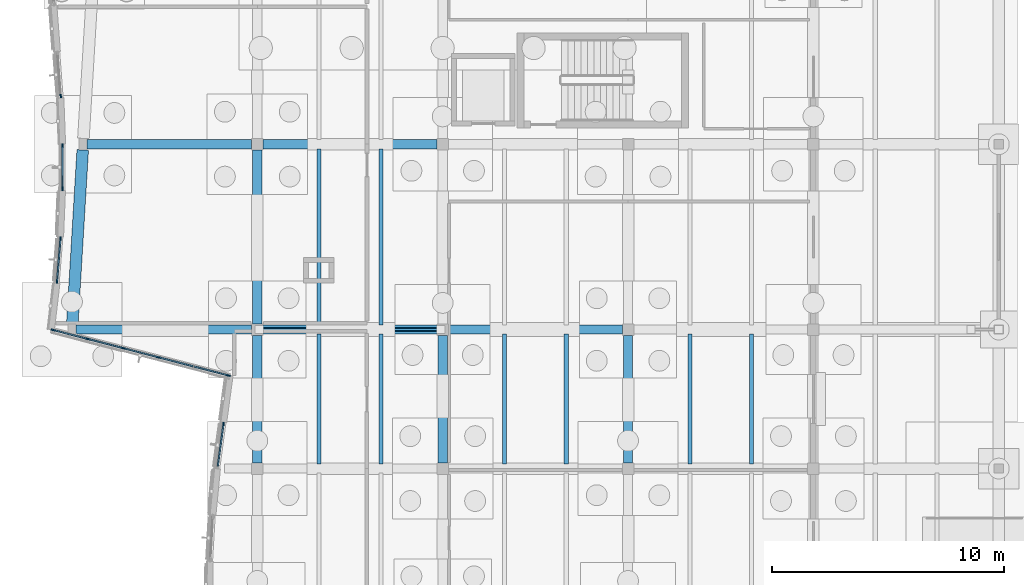
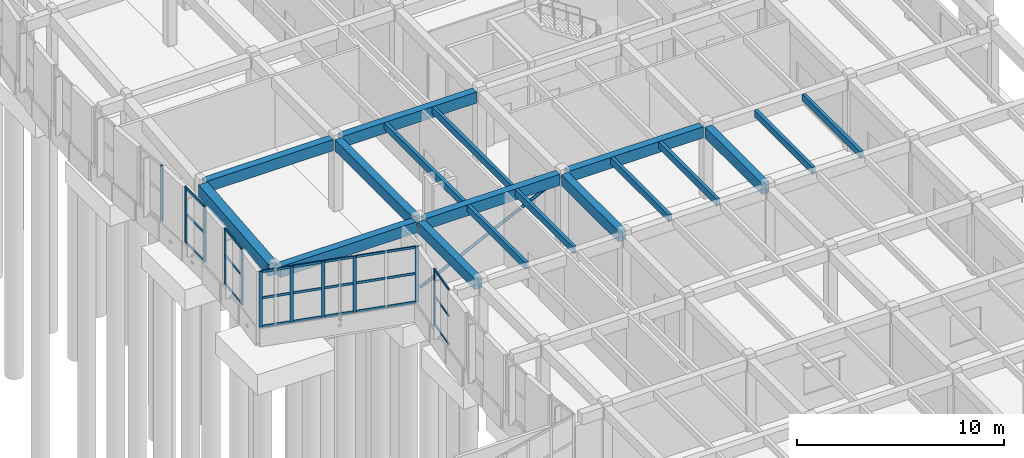
# One storey, part 20 of 99: 36 members, 18 beams, 5 elements without a shape of their own.
"""IFC4 building model written with IfcOpenShell, lengths in metres."""

from ifc_helpers import new_model, si_unit, direction, frame, origin, origin_2d, place, context, subcontext, project, spatial, rectangle, hollow_circle, extrude, material, layer, layer_set, material_profile, profile_set, type_object, element, aggregate, save


model = new_model("IFC4")

# Units and contexts
model_context = context("Model", 3, precision=1e-05, world=origin(), true_north=direction((0.0, 1.0)))
body_context = subcontext(model_context, "Body", "Model", "MODEL_VIEW")
ifc_project = project(units=[si_unit("LENGTHUNIT", "METRE"), si_unit("AREAUNIT", "SQUARE_METRE"), si_unit("VOLUMEUNIT", "CUBIC_METRE"), si_unit("PLANEANGLEUNIT", "RADIAN"), si_unit("MASSUNIT", "GRAM", prefix="KILO")], contexts=[model_context])

# Site, building, storey
site_placement = place(None, origin())
site = spatial("IfcSite", under=ifc_project, at=site_placement, CompositionType="ELEMENT")
building_placement = place(site_placement, origin())
building = spatial("IfcBuilding", under=site, at=building_placement, Name="Tonlespit Floodbar School", CompositionType="ELEMENT")
storey_placement = place(building_placement, origin())
storey = spatial("IfcBuildingStorey", under=building, at=storey_placement, Name="L00", CompositionType="ELEMENT", Elevation=0.0)

# Beams
ifc_material_1 = material(Name="Concrete C40/50", Category="concrete")
ifc_material_profile_1 = material_profile(ifc_material_1, rectangle(XDim=0.39990234375, YDim=0.64990234375, at=origin_2d()), Name="RC 400x650")
ifc_profile_set_1 = profile_set([ifc_material_profile_1], Name="Concrete C40/50")
beam_type_1 = type_object("IfcBeamType", Name="Beam_RC_400x650", PredefinedType="BEAM", material=ifc_profile_set_1)
beam_1_placement = place(storey_placement, frame((4.175048828125, 56.0, 3.9150390625), z_axis=(1.0, 0.0, 0.0), x_axis=(0.0, 1.0, 0.0)))
element("IfcBeam", 1, at=beam_1_placement, inside=storey, type_object=beam_type_1, Name="L00 girder 0044", PredefinedType="BEAM", context=body_context, shape_type="SweptSolid", body=[
    extrude(rectangle(XDim=0.39990234375, YDim=0.64990234375, at=origin_2d()), origin(), (0.0, 0.0, 1.0), 7.574951171875),
])
for number, where, z_axis, x_axis, name in (
    (2, (12.25, 56.0, 3.9150390625), (1.0, 0.0, 0.0), (0.0, 1.0, 0.0), "L00 girder 0045"),
    (3, (20.25, 56.0, 3.9150390625), (1.0, 0.0, 0.0), (0.0, 1.0, 0.0), "L00 girder 0046"),
):
    element("IfcBeam", number, at=place(storey_placement, frame(where, z_axis=z_axis, x_axis=x_axis)), inside=storey, type_object=beam_type_1, Name=name, PredefinedType="BEAM", context=body_context, shape_type="SweptSolid", body=[
        extrude(rectangle(XDim=0.39990234375, YDim=0.64990234375, at=origin_2d()), origin(), (0.0, 0.0, 1.0), 7.5),
    ])
beam_2_placement = place(storey_placement, frame((4.655029296875, 64.0, 3.9150390625), z_axis=(1.0, 0.0, 0.0), x_axis=(0.0, 1.0, 0.0)))
element("IfcBeam", 4, at=beam_2_placement, inside=storey, type_object=beam_type_1, Name="L00 girder 0056", PredefinedType="BEAM", context=body_context, shape_type="SweptSolid", body=[
    extrude(rectangle(XDim=0.39990234375, YDim=0.64990234375, at=origin_2d()), origin(), (0.0, 0.0, 1.0), 7.094970703125),
])
beam_3_placement = place(storey_placement, frame((12.25, 64.0, 3.9150390625), z_axis=(1.0, 0.0, 0.0), x_axis=(0.0, 1.0, 0.0)))
element("IfcBeam", 5, at=beam_3_placement, inside=storey, type_object=beam_type_1, Name="L00 girder 0057", PredefinedType="BEAM", context=body_context, shape_type="SweptSolid", body=[
    extrude(rectangle(XDim=0.39990234375, YDim=0.64990234375, at=origin_2d()), origin(), (0.0, 0.0, 1.0), 7.5),
])
beam_4_placement = place(storey_placement, frame((12.0, 50.25, 3.9150390625), z_axis=(0.0, 1.0, 0.0), x_axis=(-1.0, 0.0, 0.0)))
element("IfcBeam", 6, at=beam_4_placement, inside=storey, type_object=beam_type_1, Name="L00 girder 0178", PredefinedType="BEAM", context=body_context, shape_type="SweptSolid", body=[
    extrude(rectangle(XDim=0.39990234375, YDim=0.64990234375, at=origin_2d()), origin(), (0.0, 0.0, 1.0), 5.5),
])
beam_5_placement = place(storey_placement, frame((12.0, 56.25, 3.9150390625), z_axis=(0.0, 1.0, 0.0), x_axis=(-1.0, 0.0, 0.0)))
element("IfcBeam", 7, at=beam_5_placement, inside=storey, type_object=beam_type_1, Name="L00 girder 0179", PredefinedType="BEAM", context=body_context, shape_type="SweptSolid", body=[
    extrude(rectangle(XDim=0.39990234375, YDim=0.64990234375, at=origin_2d()), origin(), (0.0, 0.0, 1.0), 7.5),
])
for number, where, z_axis, x_axis, name in (
    (8, (20.0, 50.25, 3.9150390625), (0.0, 1.0, 0.0), (-1.0, 0.0, 0.0), "L00 girder 0191"),
    (9, (28.0, 50.25, 3.9150390625), (0.0, 1.0, 0.0), (-1.0, 0.0, 0.0), "L00 girder 0204"),
):
    element("IfcBeam", number, at=place(storey_placement, frame(where, z_axis=z_axis, x_axis=x_axis)), inside=storey, type_object=beam_type_1, Name=name, PredefinedType="BEAM", context=body_context, shape_type="SweptSolid", body=[
        extrude(rectangle(XDim=0.39990234375, YDim=0.64990234375, at=origin_2d()), origin(), (0.0, 0.0, 1.0), 5.5),
    ])

# Member
ifc_material_2 = material(Name="Steel S355", Category="steel")
ifc_material_profile_2 = material_profile(ifc_material_2, hollow_circle(Radius=0.084228515625, WallThickness=0.008056640625, at=origin_2d()), Name="CHS 168.3x8")
ifc_profile_set_2 = profile_set([ifc_material_profile_2], Name="Steel S355")
member_type_1 = type_object("IfcMemberType", Name="Brace_STL_CHS168", PredefinedType="BRACE", material=ifc_profile_set_2)
member_1_placement = place(storey_placement, frame((12.080078125, 56.0, 0.14990234375), z_axis=(0.899863104684, 0.0, 0.436172434741), x_axis=(0.0, 1.0, 0.0)))
element("IfcMember", 10, at=member_1_placement, inside=storey, type_object=member_type_1, Name="L00 exposed deconstructivist lateral brace 1", PredefinedType="BRACE", context=body_context, shape_type="SweptSolid", body=[
    extrude(hollow_circle(Radius=0.084228515625, WallThickness=0.008056640625, at=origin_2d()), origin(), (0.0, 0.0, 1.0), 8.712158203125),
])

# Curtain wall, member
ifc_material_3 = material(Name="Anodised Aluminium", Category="aluminium")
ifc_layer_1 = layer(ifc_material_3, 0.159912109375)
ifc_layer_set_1 = layer_set([ifc_layer_1], Name="Anodised Aluminium")
curtain_wall_type_1 = type_object("IfcCurtainWallType", Name="CurtainWall_1950x3300", PredefinedType="NOTDEFINED", material=ifc_layer_set_1)
curtain_wall_1_placement = place(storey_placement, origin())
curtain_wall_1 = element("IfcCurtainWall", 11, at=curtain_wall_1_placement, inside=storey, type_object=curtain_wall_type_1, Name="L00 unitised curtain wall 0254", PredefinedType="NOTDEFINED")
ifc_material_profile_3 = material_profile(ifc_material_3, rectangle(XDim=0.06494140625, YDim=0.14990234375, at=origin_2d()), Name="ALU M65x150")
ifc_profile_set_3 = profile_set([ifc_material_profile_3], Name="Anodised Aluminium")
member_type_2 = type_object("IfcMemberType", Name="CW_Mullion_65x150", PredefinedType="MULLION", material=ifc_profile_set_3)
member_2_placement = place(storey_placement, frame((10.540283203125, 51.92822265625, 0.949951171875), z_axis=(0.0, 0.0, 1.0), x_axis=(-0.990894096494, 0.134643564765, 0.0)))
member_2 = element("IfcMember", 12, at=member_2_placement, type_object=member_type_2, Name="CW-01 mullion 2", PredefinedType="MULLION", context=body_context, shape_type="SweptSolid", body=[
    extrude(rectangle(XDim=0.06494140625, YDim=0.14990234375, at=origin_2d()), origin(), (0.0, 0.0, 1.0), 3.2900390625),
])

# Curtain wall, members
curtain_wall_2_placement = place(storey_placement, origin())
curtain_wall_2 = element("IfcCurtainWall", 13, at=curtain_wall_2_placement, inside=storey, type_object=curtain_wall_type_1, Name="L00 unitised curtain wall 0256", PredefinedType="NOTDEFINED")
member_3_placement = place(storey_placement, frame((3.3564453125, 58.072265625, 0.949951171875), z_axis=(0.0, 0.0, 1.0), x_axis=(-0.996877534245, 0.078963166836, 0.0)))
member_3 = element("IfcMember", 14, at=member_3_placement, type_object=member_type_2, Name="CW-01 mullion 1", PredefinedType="MULLION", context=body_context, shape_type="SweptSolid", body=[
    extrude(rectangle(XDim=0.06494140625, YDim=0.14990234375, at=origin_2d()), origin(), (0.0, 0.0, 1.0), 3.2900390625),
])
member_4_placement = place(storey_placement, frame((3.50341796875, 59.927734375, 0.949951171875), z_axis=(0.0, 0.0, 1.0), x_axis=(-0.996877534245, 0.078963166836, 0.0)))
member_4 = element("IfcMember", 15, at=member_4_placement, type_object=member_type_2, Name="CW-01 mullion 2", PredefinedType="MULLION", context=body_context, shape_type="SweptSolid", body=[
    extrude(rectangle(XDim=0.06494140625, YDim=0.14990234375, at=origin_2d()), origin(), (0.0, 0.0, 1.0), 3.2900390625),
])

# Curtain wall, member
curtain_wall_3_placement = place(storey_placement, origin())
curtain_wall_3 = element("IfcCurtainWall", 16, at=curtain_wall_3_placement, inside=storey, type_object=curtain_wall_type_1, Name="L00 unitised curtain wall 0258", PredefinedType="NOTDEFINED")
member_5_placement = place(storey_placement, frame((3.516357421875, 66.072265625, 0.949951171875), z_axis=(0.0, 0.0, 1.0), x_axis=(-0.997129753565, -0.075711654028, 0.0)))
member_5 = element("IfcMember", 17, at=member_5_placement, type_object=member_type_2, Name="CW-01 mullion 1", PredefinedType="MULLION", context=body_context, shape_type="SweptSolid", body=[
    extrude(rectangle(XDim=0.06494140625, YDim=0.14990234375, at=origin_2d()), origin(), (0.0, 0.0, 1.0), 3.2900390625),
])
aggregate(curtain_wall_3, [member_5])

# Curtain wall, members
ifc_layer_2 = layer(ifc_material_3, 0.159912109375)
ifc_layer_set_2 = layer_set([ifc_layer_2], Name="Anodised Aluminium")
curtain_wall_type_2 = type_object("IfcCurtainWallType", Name="CurtainWall_7900x3300", PredefinedType="NOTDEFINED", material=ifc_layer_set_2)
curtain_wall_4_placement = place(storey_placement, origin())
curtain_wall_4 = element("IfcCurtainWall", 18, at=curtain_wall_4_placement, inside=storey, type_object=curtain_wall_type_2, Name="L00 unitised curtain wall 0255", PredefinedType="NOTDEFINED")
ifc_material_profile_4 = material_profile(ifc_material_3, rectangle(XDim=0.06494140625, YDim=0.179931640625, at=origin_2d()), Name="ALU M65x180")
ifc_profile_set_4 = profile_set([ifc_material_profile_4], Name="Anodised Aluminium")
member_type_3 = type_object("IfcMemberType", Name="CW_Mullion_65x180", PredefinedType="MULLION", material=ifc_profile_set_4)
member_6_placement = place(storey_placement, frame((10.751708984375, 54.01806640625, 0.949951171875), z_axis=(0.0, 0.0, 1.0), x_axis=(-0.25120078898, -0.967934999685, 0.0)))
member_6 = element("IfcMember", 19, at=member_6_placement, type_object=member_type_3, Name="CW-33 mullion 1", PredefinedType="MULLION", context=body_context, shape_type="SweptSolid", body=[
    extrude(rectangle(XDim=0.06494140625, YDim=0.179931640625, at=origin_2d()), origin(), (0.0, 0.0, 1.0), 3.2900390625),
])
member_7_placement = place(storey_placement, frame((7.7314453125, 54.802001953125, 0.949951171875), z_axis=(0.0, 0.0, 1.0), x_axis=(-0.25120078898, -0.967934999685, 0.0)))
member_7 = element("IfcMember", 20, at=member_7_placement, type_object=member_type_3, Name="CW-33 mullion 3", PredefinedType="MULLION", context=body_context, shape_type="SweptSolid", body=[
    extrude(rectangle(XDim=0.06494140625, YDim=0.179931640625, at=origin_2d()), origin(), (0.0, 0.0, 1.0), 3.2900390625),
])
member_8_placement = place(storey_placement, frame((6.20556640625, 55.197998046875, 0.949951171875), z_axis=(0.0, 0.0, 1.0), x_axis=(-0.25120078898, -0.967934999685, 0.0)))
member_8 = element("IfcMember", 21, at=member_8_placement, type_object=member_type_3, Name="CW-33 mullion 4", PredefinedType="MULLION", context=body_context, shape_type="SweptSolid", body=[
    extrude(rectangle(XDim=0.06494140625, YDim=0.179931640625, at=origin_2d()), origin(), (0.0, 0.0, 1.0), 3.2900390625),
])
member_9_placement = place(storey_placement, frame((4.6796875, 55.593994140625, 0.949951171875), z_axis=(0.0, 0.0, 1.0), x_axis=(-0.25120078898, -0.967934999685, 0.0)))
member_9 = element("IfcMember", 22, at=member_9_placement, type_object=member_type_3, Name="CW-33 mullion 5", PredefinedType="MULLION", context=body_context, shape_type="SweptSolid", body=[
    extrude(rectangle(XDim=0.06494140625, YDim=0.179931640625, at=origin_2d()), origin(), (0.0, 0.0, 1.0), 3.2900390625),
])
member_10_placement = place(storey_placement, frame((3.18505859375, 55.98193359375, 0.949951171875), z_axis=(0.0, 0.0, 1.0), x_axis=(-0.25120078898, -0.967934999685, 0.0)))
member_10 = element("IfcMember", 23, at=member_10_placement, type_object=member_type_3, Name="CW-33 mullion 6", PredefinedType="MULLION", context=body_context, shape_type="SweptSolid", body=[
    extrude(rectangle(XDim=0.06494140625, YDim=0.179931640625, at=origin_2d()), origin(), (0.0, 0.0, 1.0), 3.2900390625),
])

ifc_layer_3 = layer(ifc_material_3, 0.159912109375)
ifc_layer_set_3 = layer_set([ifc_layer_3], Name="Anodised Aluminium")
curtain_wall_type_3 = type_object("IfcCurtainWallType", Name="CurtainWall_1900x3300", PredefinedType="NOTDEFINED", material=ifc_layer_set_3)
curtain_wall_5_placement = place(storey_placement, origin())
curtain_wall_5 = element("IfcCurtainWall", 24, at=curtain_wall_5_placement, inside=storey, type_object=curtain_wall_type_3, Name="L00 unitised curtain wall 0257", PredefinedType="NOTDEFINED")
member_11_placement = place(storey_placement, frame((3.5908203125, 62.072509765625, 0.949951171875), z_axis=(0.0, 0.0, 1.0), x_axis=(-0.99999760743, 0.00218749477, 0.0)))
member_11 = element("IfcMember", 25, at=member_11_placement, type_object=member_type_3, Name="CW-02 mullion 1", PredefinedType="MULLION", context=body_context, shape_type="SweptSolid", body=[
    extrude(rectangle(XDim=0.06494140625, YDim=0.179931640625, at=origin_2d()), origin(), (0.0, 0.0, 1.0), 3.2900390625),
])
member_12_placement = place(storey_placement, frame((3.5947265625, 63.927490234375, 0.949951171875), z_axis=(0.0, 0.0, 1.0), x_axis=(-0.99999760743, 0.00218749477, 0.0)))
member_12 = element("IfcMember", 26, at=member_12_placement, type_object=member_type_3, Name="CW-02 mullion 2", PredefinedType="MULLION", context=body_context, shape_type="SweptSolid", body=[
    extrude(rectangle(XDim=0.06494140625, YDim=0.179931640625, at=origin_2d()), origin(), (0.0, 0.0, 1.0), 3.2900390625),
])

# Member
ifc_material_profile_5 = material_profile(ifc_material_3, rectangle(XDim=0.06494140625, YDim=0.1201171875, at=origin_2d()), Name="ALU T65x120")
ifc_profile_set_5 = profile_set([ifc_material_profile_5], Name="Anodised Aluminium")
member_type_4 = type_object("IfcMemberType", Name="CW_Transom_65x120", PredefinedType="USERDEFINED", material=ifc_profile_set_5)
member_13_placement = place(storey_placement, frame((10.292236328125, 50.10400390625, 0.982421875), z_axis=(0.134727643439, 0.990882668177, 0.0), x_axis=(-0.990882668177, 0.134727643439, 0.0)))
member_13 = element("IfcMember", 27, at=member_13_placement, type_object=member_type_4, Name="CW-01 transom 1.1", ObjectType="TRANSOM", PredefinedType="USERDEFINED", context=body_context, shape_type="SweptSolid", body=[
    extrude(rectangle(XDim=0.06494140625, YDim=0.1201171875, at=origin_2d()), origin(), (0.0, 0.0, 1.0), 1.80859375),
])

member_14_placement = place(storey_placement, frame((10.292236328125, 50.10400390625, 2.660888671875), z_axis=(0.134727643439, 0.990882668177, 0.0), x_axis=(-0.990882668177, 0.134727643439, 0.0)))
member_14 = element("IfcMember", 28, at=member_14_placement, type_object=member_type_4, Name="CW-01 transom 1.2", ObjectType="TRANSOM", PredefinedType="USERDEFINED", context=body_context, shape_type="SweptSolid", body=[
    extrude(rectangle(XDim=0.06494140625, YDim=0.1201171875, at=origin_2d()), origin(), (0.0, 0.0, 1.0), 1.80859375),
])

member_15_placement = place(storey_placement, frame((10.292236328125, 50.10400390625, 4.20751953125), z_axis=(0.134727643439, 0.990882668177, 0.0), x_axis=(-0.990882668177, 0.134727643439, 0.0)))
member_15 = element("IfcMember", 29, at=member_15_placement, type_object=member_type_4, Name="CW-01 transom 1.3", ObjectType="TRANSOM", PredefinedType="USERDEFINED", context=body_context, shape_type="SweptSolid", body=[
    extrude(rectangle(XDim=0.06494140625, YDim=0.1201171875, at=origin_2d()), origin(), (0.0, 0.0, 1.0), 1.80859375),
])

aggregate(curtain_wall_1, [member_2, member_13, member_14, member_15])

member_16_placement = place(storey_placement, frame((3.35888671875, 58.104736328125, 0.982421875), z_axis=(0.078972649437, 0.996876783079, 0.0), x_axis=(-0.996876783079, 0.078972649437, 0.0)))
member_16 = element("IfcMember", 30, at=member_16_placement, type_object=member_type_4, Name="CW-01 transom 1.1", ObjectType="TRANSOM", PredefinedType="USERDEFINED", context=body_context, shape_type="SweptSolid", body=[
    extrude(rectangle(XDim=0.06494140625, YDim=0.1201171875, at=origin_2d()), origin(), (0.0, 0.0, 1.0), 1.796142578125),
])

member_17_placement = place(storey_placement, frame((3.35888671875, 58.104736328125, 2.660888671875), z_axis=(0.078972649437, 0.996876783079, 0.0), x_axis=(-0.996876783079, 0.078972649437, 0.0)))
member_17 = element("IfcMember", 31, at=member_17_placement, type_object=member_type_4, Name="CW-01 transom 1.2", ObjectType="TRANSOM", PredefinedType="USERDEFINED", context=body_context, shape_type="SweptSolid", body=[
    extrude(rectangle(XDim=0.06494140625, YDim=0.1201171875, at=origin_2d()), origin(), (0.0, 0.0, 1.0), 1.796142578125),
])

member_18_placement = place(storey_placement, frame((3.35888671875, 58.104736328125, 4.20751953125), z_axis=(0.078972649437, 0.996876783079, 0.0), x_axis=(-0.996876783079, 0.078972649437, 0.0)))
member_18 = element("IfcMember", 32, at=member_18_placement, type_object=member_type_4, Name="CW-01 transom 1.3", ObjectType="TRANSOM", PredefinedType="USERDEFINED", context=body_context, shape_type="SweptSolid", body=[
    extrude(rectangle(XDim=0.06494140625, YDim=0.1201171875, at=origin_2d()), origin(), (0.0, 0.0, 1.0), 1.796142578125),
])

aggregate(curtain_wall_2, [member_3, member_4, member_16, member_17, member_18])

ifc_material_profile_6 = material_profile(ifc_material_3, rectangle(XDim=0.06494140625, YDim=0.139892578125, at=origin_2d()), Name="ALU T65x140")
ifc_profile_set_6 = profile_set([ifc_material_profile_6], Name="Anodised Aluminium")
member_type_5 = type_object("IfcMemberType", Name="CW_Transom_65x140", PredefinedType="USERDEFINED", material=ifc_profile_set_6)
member_19_placement = place(storey_placement, frame((10.72021484375, 54.0263671875, 0.982421875), z_axis=(-0.9679285458, 0.251225655987, 0.0), x_axis=(-0.251225655987, -0.9679285458, 0.0)))
member_19 = element("IfcMember", 33, at=member_19_placement, type_object=member_type_5, Name="CW-33 transom 1.1", ObjectType="TRANSOM", PredefinedType="USERDEFINED", context=body_context, shape_type="SweptSolid", body=[
    extrude(rectangle(XDim=0.06494140625, YDim=0.139892578125, at=origin_2d()), origin(), (0.0, 0.0, 1.0), 1.47900390625),
])

member_20_placement = place(storey_placement, frame((10.72021484375, 54.0263671875, 2.660888671875), z_axis=(-0.9679285458, 0.251225655987, 0.0), x_axis=(-0.251225655987, -0.9679285458, 0.0)))
member_20 = element("IfcMember", 34, at=member_20_placement, type_object=member_type_5, Name="CW-33 transom 1.2", ObjectType="TRANSOM", PredefinedType="USERDEFINED", context=body_context, shape_type="SweptSolid", body=[
    extrude(rectangle(XDim=0.06494140625, YDim=0.139892578125, at=origin_2d()), origin(), (0.0, 0.0, 1.0), 1.47900390625),
])

member_21_placement = place(storey_placement, frame((10.72021484375, 54.0263671875, 4.20751953125), z_axis=(-0.9679285458, 0.251225655987, 0.0), x_axis=(-0.251225655987, -0.9679285458, 0.0)))
member_21 = element("IfcMember", 35, at=member_21_placement, type_object=member_type_5, Name="CW-33 transom 1.3", ObjectType="TRANSOM", PredefinedType="USERDEFINED", context=body_context, shape_type="SweptSolid", body=[
    extrude(rectangle(XDim=0.06494140625, YDim=0.139892578125, at=origin_2d()), origin(), (0.0, 0.0, 1.0), 1.47900390625),
])

member_22_placement = place(storey_placement, frame((9.225830078125, 54.4140625, 0.982421875), z_axis=(-0.967908196066, 0.251304046901, 0.0), x_axis=(-0.251304046901, -0.967908196066, 0.0)))
member_22 = element("IfcMember", 36, at=member_22_placement, type_object=member_type_5, Name="CW-33 transom 2.1", ObjectType="TRANSOM", PredefinedType="USERDEFINED", context=body_context, shape_type="SweptSolid", body=[
    extrude(rectangle(XDim=0.06494140625, YDim=0.139892578125, at=origin_2d()), origin(), (0.0, 0.0, 1.0), 1.51171875),
])

member_23_placement = place(storey_placement, frame((9.225830078125, 54.4140625, 2.660888671875), z_axis=(-0.967908196066, 0.251304046901, 0.0), x_axis=(-0.251304046901, -0.967908196066, 0.0)))
member_23 = element("IfcMember", 37, at=member_23_placement, type_object=member_type_5, Name="CW-33 transom 2.2", ObjectType="TRANSOM", PredefinedType="USERDEFINED", context=body_context, shape_type="SweptSolid", body=[
    extrude(rectangle(XDim=0.06494140625, YDim=0.139892578125, at=origin_2d()), origin(), (0.0, 0.0, 1.0), 1.51171875),
])

member_24_placement = place(storey_placement, frame((9.225830078125, 54.4140625, 4.20751953125), z_axis=(-0.967908196066, 0.251304046901, 0.0), x_axis=(-0.251304046901, -0.967908196066, 0.0)))
member_24 = element("IfcMember", 38, at=member_24_placement, type_object=member_type_5, Name="CW-33 transom 2.3", ObjectType="TRANSOM", PredefinedType="USERDEFINED", context=body_context, shape_type="SweptSolid", body=[
    extrude(rectangle(XDim=0.06494140625, YDim=0.139892578125, at=origin_2d()), origin(), (0.0, 0.0, 1.0), 1.51171875),
])

member_25_placement = place(storey_placement, frame((7.699951171875, 54.81005859375, 0.982421875), z_axis=(-0.967908196066, 0.251304046901, 0.0), x_axis=(-0.251304046901, -0.967908196066, 0.0)))
member_25 = element("IfcMember", 39, at=member_25_placement, type_object=member_type_5, Name="CW-33 transom 3.1", ObjectType="TRANSOM", PredefinedType="USERDEFINED", context=body_context, shape_type="SweptSolid", body=[
    extrude(rectangle(XDim=0.06494140625, YDim=0.139892578125, at=origin_2d()), origin(), (0.0, 0.0, 1.0), 1.51171875),
])

member_26_placement = place(storey_placement, frame((7.699951171875, 54.81005859375, 2.660888671875), z_axis=(-0.967908196066, 0.251304046901, 0.0), x_axis=(-0.251304046901, -0.967908196066, 0.0)))
member_26 = element("IfcMember", 40, at=member_26_placement, type_object=member_type_5, Name="CW-33 transom 3.2", ObjectType="TRANSOM", PredefinedType="USERDEFINED", context=body_context, shape_type="SweptSolid", body=[
    extrude(rectangle(XDim=0.06494140625, YDim=0.139892578125, at=origin_2d()), origin(), (0.0, 0.0, 1.0), 1.51171875),
])

member_27_placement = place(storey_placement, frame((7.699951171875, 54.81005859375, 4.20751953125), z_axis=(-0.967908196066, 0.251304046901, 0.0), x_axis=(-0.251304046901, -0.967908196066, 0.0)))
member_27 = element("IfcMember", 41, at=member_27_placement, type_object=member_type_5, Name="CW-33 transom 3.3", ObjectType="TRANSOM", PredefinedType="USERDEFINED", context=body_context, shape_type="SweptSolid", body=[
    extrude(rectangle(XDim=0.06494140625, YDim=0.139892578125, at=origin_2d()), origin(), (0.0, 0.0, 1.0), 1.51171875),
])

member_28_placement = place(storey_placement, frame((6.174072265625, 55.2060546875, 0.982421875), z_axis=(-0.967908196066, 0.251304046901, 0.0), x_axis=(-0.251304046901, -0.967908196066, 0.0)))
member_28 = element("IfcMember", 42, at=member_28_placement, type_object=member_type_5, Name="CW-33 transom 4.1", ObjectType="TRANSOM", PredefinedType="USERDEFINED", context=body_context, shape_type="SweptSolid", body=[
    extrude(rectangle(XDim=0.06494140625, YDim=0.139892578125, at=origin_2d()), origin(), (0.0, 0.0, 1.0), 1.51171875),
])

member_29_placement = place(storey_placement, frame((6.174072265625, 55.2060546875, 2.660888671875), z_axis=(-0.967908196066, 0.251304046901, 0.0), x_axis=(-0.251304046901, -0.967908196066, 0.0)))
member_29 = element("IfcMember", 43, at=member_29_placement, type_object=member_type_5, Name="CW-33 transom 4.2", ObjectType="TRANSOM", PredefinedType="USERDEFINED", context=body_context, shape_type="SweptSolid", body=[
    extrude(rectangle(XDim=0.06494140625, YDim=0.139892578125, at=origin_2d()), origin(), (0.0, 0.0, 1.0), 1.51171875),
])

member_30_placement = place(storey_placement, frame((6.174072265625, 55.2060546875, 4.20751953125), z_axis=(-0.967908196066, 0.251304046901, 0.0), x_axis=(-0.251304046901, -0.967908196066, 0.0)))
member_30 = element("IfcMember", 44, at=member_30_placement, type_object=member_type_5, Name="CW-33 transom 4.3", ObjectType="TRANSOM", PredefinedType="USERDEFINED", context=body_context, shape_type="SweptSolid", body=[
    extrude(rectangle(XDim=0.06494140625, YDim=0.139892578125, at=origin_2d()), origin(), (0.0, 0.0, 1.0), 1.51171875),
])

member_31_placement = place(storey_placement, frame((4.648193359375, 55.60205078125, 0.982421875), z_axis=(-0.9679285458, 0.251225655987, 0.0), x_axis=(-0.251225655987, -0.9679285458, 0.0)))
member_31 = element("IfcMember", 45, at=member_31_placement, type_object=member_type_5, Name="CW-33 transom 5.1", ObjectType="TRANSOM", PredefinedType="USERDEFINED", context=body_context, shape_type="SweptSolid", body=[
    extrude(rectangle(XDim=0.06494140625, YDim=0.139892578125, at=origin_2d()), origin(), (0.0, 0.0, 1.0), 1.47900390625),
])

member_32_placement = place(storey_placement, frame((4.648193359375, 55.60205078125, 2.660888671875), z_axis=(-0.9679285458, 0.251225655987, 0.0), x_axis=(-0.251225655987, -0.9679285458, 0.0)))
member_32 = element("IfcMember", 46, at=member_32_placement, type_object=member_type_5, Name="CW-33 transom 5.2", ObjectType="TRANSOM", PredefinedType="USERDEFINED", context=body_context, shape_type="SweptSolid", body=[
    extrude(rectangle(XDim=0.06494140625, YDim=0.139892578125, at=origin_2d()), origin(), (0.0, 0.0, 1.0), 1.47900390625),
])

member_33_placement = place(storey_placement, frame((4.648193359375, 55.60205078125, 4.20751953125), z_axis=(-0.9679285458, 0.251225655987, 0.0), x_axis=(-0.251225655987, -0.9679285458, 0.0)))
member_33 = element("IfcMember", 47, at=member_33_placement, type_object=member_type_5, Name="CW-33 transom 5.3", ObjectType="TRANSOM", PredefinedType="USERDEFINED", context=body_context, shape_type="SweptSolid", body=[
    extrude(rectangle(XDim=0.06494140625, YDim=0.139892578125, at=origin_2d()), origin(), (0.0, 0.0, 1.0), 1.47900390625),
])

aggregate(curtain_wall_4, [member_6, member_7, member_8, member_9, member_10, member_19, member_20, member_21, member_22, member_23, member_24, member_25, member_26, member_27, member_28, member_29, member_30, member_31, member_32, member_33])

member_34_placement = place(storey_placement, frame((3.5908203125, 62.10498046875, 0.982421875), z_axis=(0.002182209752, 0.999997618977, 0.0), x_axis=(-0.999997618977, 0.002182209752, 0.0)))
member_34 = element("IfcMember", 48, at=member_34_placement, type_object=member_type_5, Name="CW-02 transom 1.1", ObjectType="TRANSOM", PredefinedType="USERDEFINED", context=body_context, shape_type="SweptSolid", body=[
    extrude(rectangle(XDim=0.06494140625, YDim=0.139892578125, at=origin_2d()), origin(), (0.0, 0.0, 1.0), 1.7900390625),
])

member_35_placement = place(storey_placement, frame((3.5908203125, 62.10498046875, 2.660888671875), z_axis=(0.002182209752, 0.999997618977, 0.0), x_axis=(-0.999997618977, 0.002182209752, 0.0)))
member_35 = element("IfcMember", 49, at=member_35_placement, type_object=member_type_5, Name="CW-02 transom 1.2", ObjectType="TRANSOM", PredefinedType="USERDEFINED", context=body_context, shape_type="SweptSolid", body=[
    extrude(rectangle(XDim=0.06494140625, YDim=0.139892578125, at=origin_2d()), origin(), (0.0, 0.0, 1.0), 1.7900390625),
])

member_36_placement = place(storey_placement, frame((3.5908203125, 62.10498046875, 4.20751953125), z_axis=(0.002182209752, 0.999997618977, 0.0), x_axis=(-0.999997618977, 0.002182209752, 0.0)))
member_36 = element("IfcMember", 50, at=member_36_placement, type_object=member_type_5, Name="CW-02 transom 1.3", ObjectType="TRANSOM", PredefinedType="USERDEFINED", context=body_context, shape_type="SweptSolid", body=[
    extrude(rectangle(XDim=0.06494140625, YDim=0.139892578125, at=origin_2d()), origin(), (0.0, 0.0, 1.0), 1.7900390625),
])

aggregate(curtain_wall_5, [member_11, member_12, member_34, member_35, member_36])

# Beams
ifc_material_4 = material(Name="Glulam GL28h", Category="wood")
ifc_material_profile_7 = material_profile(ifc_material_4, rectangle(XDim=0.179931640625, YDim=0.39990234375, at=origin_2d()), Name="GL 180x400")
ifc_profile_set_7 = profile_set([ifc_material_profile_7], Name="Glulam GL28h")
beam_type_2 = type_object("IfcBeamType", Name="Joist_GL_180x400", PredefinedType="JOIST", material=ifc_profile_set_7)
for number, where, z_axis, x_axis, name in (
    (51, (14.666748046875, 50.199951171875, 4.0400390625), (0.0, 1.0, 0.0), (-1.0, 0.0, 0.0), "L00 secondary joist 0389"),
    (52, (17.333251953125, 50.199951171875, 4.0400390625), (0.0, 1.0, 0.0), (-1.0, 0.0, 0.0), "L00 secondary joist 0390"),
    (53, (22.666748046875, 50.199951171875, 4.0400390625), (0.0, 1.0, 0.0), (-1.0, 0.0, 0.0), "L00 secondary joist 0391"),
    (54, (25.333251953125, 50.199951171875, 4.0400390625), (0.0, 1.0, 0.0), (-1.0, 0.0, 0.0), "L00 secondary joist 0392"),
    (55, (30.666748046875, 50.199951171875, 4.0400390625), (0.0, 1.0, 0.0), (-1.0, 0.0, 0.0), "L00 secondary joist 0393"),
    (56, (33.333251953125, 50.199951171875, 4.0400390625), (0.0, 1.0, 0.0), (-1.0, 0.0, 0.0), "L00 secondary joist 0394"),
):
    element("IfcBeam", number, at=place(storey_placement, frame(where, z_axis=z_axis, x_axis=x_axis)), inside=storey, type_object=beam_type_2, Name=name, PredefinedType="JOIST", context=body_context, shape_type="SweptSolid", body=[
        extrude(rectangle(XDim=0.179931640625, YDim=0.39990234375, at=origin_2d()), origin(), (0.0, 0.0, 1.0), 5.60009765625),
    ])
for number, where, z_axis, x_axis, name in (
    (57, (14.666748046875, 56.199951171875, 4.0400390625), (0.0, 1.0, 0.0), (-1.0, 0.0, 0.0), "L00 secondary joist 0397"),
    (58, (17.333251953125, 56.199951171875, 4.0400390625), (0.0, 1.0, 0.0), (-1.0, 0.0, 0.0), "L00 secondary joist 0398"),
):
    element("IfcBeam", number, at=place(storey_placement, frame(where, z_axis=z_axis, x_axis=x_axis)), inside=storey, type_object=beam_type_2, Name=name, PredefinedType="JOIST", context=body_context, shape_type="SweptSolid", body=[
        extrude(rectangle(XDim=0.179931640625, YDim=0.39990234375, at=origin_2d()), origin(), (0.0, 0.0, 1.0), 7.60009765625),
    ])
ifc_material_profile_8 = material_profile(ifc_material_1, rectangle(XDim=0.5, YDim=0.699951171875, at=origin_2d()), Name="RC 500x700")
ifc_profile_set_8 = profile_set([ifc_material_profile_8], Name="Concrete C40/50")
beam_type_3 = type_object("IfcBeamType", Name="Spandrel_RC_500x700", PredefinedType="SPANDREL", material=ifc_profile_set_8)
beam_6_placement = place(storey_placement, frame((4.014892578125, 56.24951171875, 3.889892578125), z_axis=(0.059910419508, 0.998203757574, 0.0), x_axis=(-0.998203757574, 0.059910419508, 0.0)))
element("IfcBeam", 59, at=beam_6_placement, inside=storey, type_object=beam_type_3, Name="L00 splayed edge spandrel 0330", PredefinedType="SPANDREL", context=body_context, shape_type="SweptSolid", body=[
    extrude(rectangle(XDim=0.5, YDim=0.699951171875, at=origin_2d()), origin(), (0.0, 0.0, 1.0), 7.514404296875),
])

save(model, "model.ifc")
